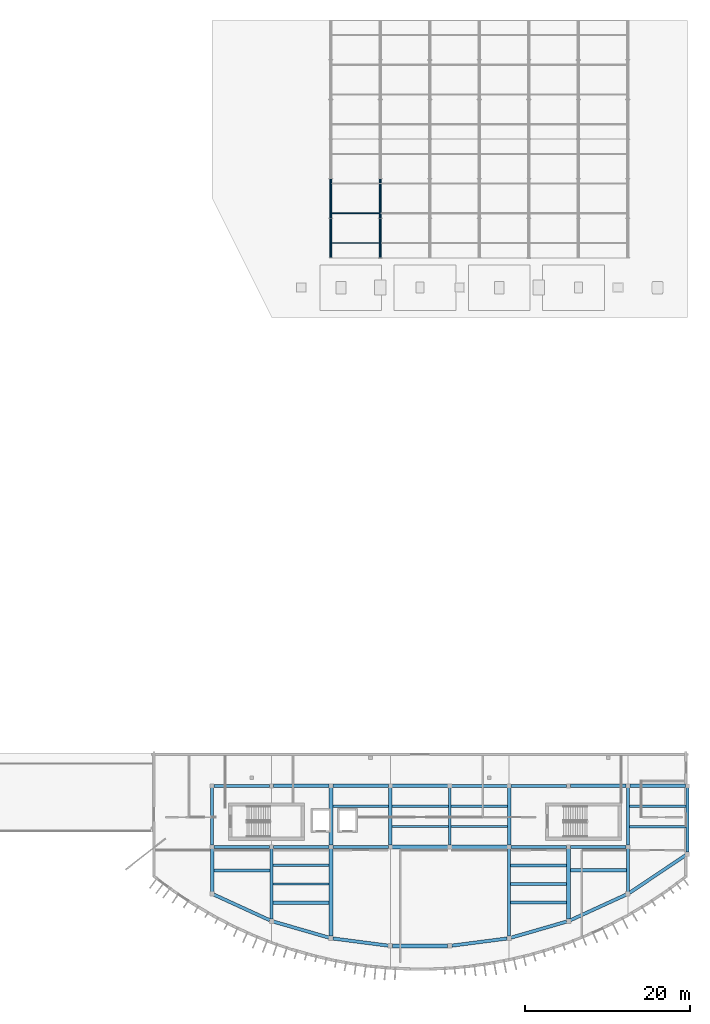
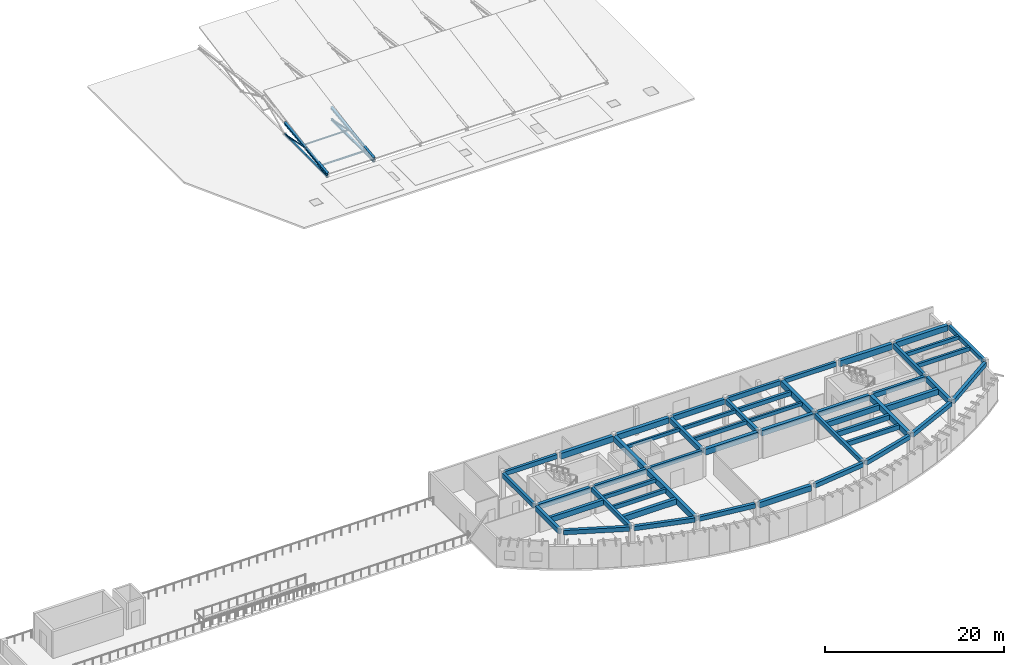
# One storey, part 8 of 32: 51 beams, 14 members.
"""IFC4 building model written with IfcOpenShell, lengths in metres."""

from ifc_helpers import new_model, si_unit, direction, frame, origin, origin_2d, place, context, subcontext, project, spatial, rectangle, hollow_rectangle, hollow_circle, i_section, extrude, material, material_profile, profile_set, type_object, element, save


model = new_model("IFC4")

# Units and contexts
model_context = context("Model", 3, precision=1e-05, world=origin(), true_north=direction((0.0, 1.0)))
body_context = subcontext(model_context, "Body", "Model", "MODEL_VIEW")
ifc_project = project(units=[si_unit("LENGTHUNIT", "METRE"), si_unit("AREAUNIT", "SQUARE_METRE"), si_unit("VOLUMEUNIT", "CUBIC_METRE"), si_unit("PLANEANGLEUNIT", "RADIAN"), si_unit("MASSUNIT", "GRAM", prefix="KILO")], contexts=[model_context])

# Site, building, storey
site_placement = place(None, origin())
site = spatial("IfcSite", under=ifc_project, at=site_placement, CompositionType="ELEMENT")
building_placement = place(site_placement, origin())
building = spatial("IfcBuilding", under=site, at=building_placement, Name="Brisavento Harbour Community Centre", CompositionType="ELEMENT")
storey_placement = place(building_placement, frame((0.0, 0.0, 12.89990234375)))
storey = spatial("IfcBuildingStorey", under=building, at=storey_placement, Name="L03", CompositionType="ELEMENT", Elevation=12.89990234375)

# Beams
ifc_material_1 = material(Name="Concrete C35/45", Category="concrete")
ifc_material_profile_1 = material_profile(ifc_material_1, rectangle(XDim=0.25, YDim=0.449951171875, at=origin_2d()), Name="Concrete C35/45")
ifc_profile_set_1 = profile_set([ifc_material_profile_1], Name="Concrete C35/45")
beam_type_1 = type_object("IfcBeamType", Name="BM-JST-250x450", PredefinedType="JOIST", material=ifc_profile_set_1)
beam_1_placement = place(storey_placement, frame((129.824951171875, 19.933349609375, 3.43505859375), z_axis=(1.0, 0.0, 0.0), x_axis=(0.0, 1.0, 0.0)))
element("IfcBeam", 1, at=beam_1_placement, inside=storey, type_object=beam_type_1, Name="L03 secondary floor joist 0332", PredefinedType="JOIST", context=body_context, shape_type="SweptSolid", body=[
    extrude(rectangle(XDim=0.25, YDim=0.449951171875, at=origin_2d()), origin(), (0.0, 0.0, 1.0), 6.775146484375),
])
ifc_material_profile_2 = material_profile(ifc_material_1, rectangle(XDim=0.260009765625, YDim=0.4599609375, at=origin_2d()), Name="Concrete C35/45")
ifc_profile_set_2 = profile_set([ifc_material_profile_2], Name="Concrete C35/45")
beam_type_2 = type_object("IfcBeamType", Name="BM-JST-260x460", PredefinedType="JOIST", material=ifc_profile_set_2)
beam_2_placement = place(storey_placement, frame((144.175048828125, 17.466796875, 3.43017578125), z_axis=(1.0, 0.0, 0.0), x_axis=(0.0, 1.0, 0.0)))
element("IfcBeam", 2, at=beam_2_placement, inside=storey, type_object=beam_type_2, Name="L03 secondary floor joist 0335", PredefinedType="JOIST", context=body_context, shape_type="SweptSolid", body=[
    extrude(rectangle(XDim=0.260009765625, YDim=0.4599609375, at=origin_2d()), origin(), (0.0, 0.0, 1.0), 6.800048828125),
])
ifc_material_profile_3 = material_profile(ifc_material_1, rectangle(XDim=0.280029296875, YDim=0.47998046875, at=origin_2d()), Name="Concrete C35/45")
ifc_profile_set_3 = profile_set([ifc_material_profile_3], Name="Concrete C35/45")
beam_type_3 = type_object("IfcBeamType", Name="BM-JST-280x480", PredefinedType="JOIST", material=ifc_profile_set_3)
beam_3_placement = place(storey_placement, frame((137.0, 19.933349609375, 3.420166015625), z_axis=(1.0, 0.0, 0.0), x_axis=(0.0, 1.0, 0.0)))
element("IfcBeam", 3, at=beam_3_placement, inside=storey, type_object=beam_type_3, Name="L03 secondary floor joist 0334", PredefinedType="JOIST", context=body_context, shape_type="SweptSolid", body=[
    extrude(rectangle(XDim=0.280029296875, YDim=0.47998046875, at=origin_2d()), origin(), (0.0, 0.0, 1.0), 6.824951171875),
])
ifc_material_profile_4 = material_profile(ifc_material_1, rectangle(XDim=0.280029296875, YDim=0.52001953125, at=origin_2d()), Name="Concrete C35/45")
ifc_profile_set_4 = profile_set([ifc_material_profile_4], Name="Concrete C35/45")
beam_type_4 = type_object("IfcBeamType", Name="BM-JST-280x520", PredefinedType="JOIST", material=ifc_profile_set_4)
beam_4_placement = place(storey_placement, frame((137.0, 17.466796875, 3.400146484375), z_axis=(1.0, 0.0, 0.0), x_axis=(0.0, 1.0, 0.0)))
element("IfcBeam", 4, at=beam_4_placement, inside=storey, type_object=beam_type_4, Name="L03 secondary floor joist 0333", PredefinedType="JOIST", context=body_context, shape_type="SweptSolid", body=[
    extrude(rectangle(XDim=0.280029296875, YDim=0.52001953125, at=origin_2d()), origin(), (0.0, 0.0, 1.0), 6.824951171875),
])
ifc_material_profile_5 = material_profile(ifc_material_1, rectangle(XDim=0.300048828125, YDim=0.5, at=origin_2d()), Name="Concrete C35/45")
ifc_profile_set_5 = profile_set([ifc_material_profile_5], Name="Concrete C35/45")
beam_type_5 = type_object("IfcBeamType", Name="BM-JST-300x500", PredefinedType="JOIST", material=ifc_profile_set_5)
beam_5_placement = place(storey_placement, frame((122.574951171875, 12.75390625, 3.41015625), z_axis=(1.0, 0.0, 0.0), x_axis=(0.0, 1.0, 0.0)))
element("IfcBeam", 5, at=beam_5_placement, inside=storey, type_object=beam_type_5, Name="L03 secondary floor joist 0331", PredefinedType="JOIST", context=body_context, shape_type="SweptSolid", body=[
    extrude(rectangle(XDim=0.300048828125, YDim=0.5, at=origin_2d()), origin(), (0.0, 0.0, 1.0), 6.800048828125),
])
beam_6_placement = place(storey_placement, frame((165.77490234375, 19.933349609375, 3.41015625), z_axis=(1.0, 0.0, 0.0), x_axis=(0.0, 1.0, 0.0)))
element("IfcBeam", 6, at=beam_6_placement, inside=storey, type_object=beam_type_5, Name="L03 secondary floor joist 0342", PredefinedType="JOIST", context=body_context, shape_type="SweptSolid", body=[
    extrude(rectangle(XDim=0.300048828125, YDim=0.5, at=origin_2d()), origin(), (0.0, 0.0, 1.0), 6.85009765625),
])
ifc_material_profile_6 = material_profile(ifc_material_1, rectangle(XDim=0.300048828125, YDim=0.550048828125, at=origin_2d()), Name="Concrete C35/45")
ifc_profile_set_6 = profile_set([ifc_material_profile_6], Name="Concrete C35/45")
beam_type_6 = type_object("IfcBeamType", Name="BM-JST-300x550", PredefinedType="JOIST", material=ifc_profile_set_6)
beam_7_placement = place(storey_placement, frame((122.574951171875, 10.507568359375, 3.385009765625), z_axis=(1.0, 0.0, 0.0), x_axis=(0.0, 1.0, 0.0)))
element("IfcBeam", 7, at=beam_7_placement, inside=storey, type_object=beam_type_6, Name="L03 secondary floor joist 0330", PredefinedType="JOIST", context=body_context, shape_type="SweptSolid", body=[
    extrude(rectangle(XDim=0.300048828125, YDim=0.550048828125, at=origin_2d()), origin(), (0.0, 0.0, 1.0), 6.800048828125),
])
beam_8_placement = place(storey_placement, frame((165.77490234375, 17.466796875, 3.385009765625), z_axis=(1.0, 0.0, 0.0), x_axis=(0.0, 1.0, 0.0)))
element("IfcBeam", 8, at=beam_8_placement, inside=storey, type_object=beam_type_6, Name="L03 secondary floor joist 0341", PredefinedType="JOIST", context=body_context, shape_type="SweptSolid", body=[
    extrude(rectangle(XDim=0.300048828125, YDim=0.550048828125, at=origin_2d()), origin(), (0.0, 0.0, 1.0), 6.85009765625),
])
ifc_material_profile_7 = material_profile(ifc_material_1, rectangle(XDim=0.320068359375, YDim=0.56005859375, at=origin_2d()), Name="Concrete C35/45")
ifc_profile_set_7 = profile_set([ifc_material_profile_7], Name="Concrete C35/45")
beam_type_7 = type_object("IfcBeamType", Name="BM-JST-320x560", PredefinedType="JOIST", material=ifc_profile_set_7)
beam_9_placement = place(storey_placement, frame((144.175048828125, 19.933349609375, 3.380126953125), z_axis=(1.0, 0.0, 0.0), x_axis=(0.0, 1.0, 0.0)))
element("IfcBeam", 9, at=beam_9_placement, inside=storey, type_object=beam_type_7, Name="L03 secondary floor joist 0336", PredefinedType="JOIST", context=body_context, shape_type="SweptSolid", body=[
    extrude(rectangle(XDim=0.320068359375, YDim=0.56005859375, at=origin_2d()), origin(), (0.0, 0.0, 1.0), 6.800048828125),
])
ifc_material_profile_8 = material_profile(ifc_material_1, rectangle(XDim=0.320068359375, YDim=0.6201171875, at=origin_2d()), Name="Concrete C35/45")
ifc_profile_set_8 = profile_set([ifc_material_profile_8], Name="Concrete C35/45")
beam_type_8 = type_object("IfcBeamType", Name="BM-JST-320x620", PredefinedType="JOIST", material=ifc_profile_set_8)
beam_10_placement = place(storey_placement, frame((151.375, 8.26123046875, 3.35009765625), z_axis=(1.0, 0.0, 0.0), x_axis=(0.0, 1.0, 0.0)))
element("IfcBeam", 10, at=beam_10_placement, inside=storey, type_object=beam_type_8, Name="L03 secondary floor joist 0337", PredefinedType="JOIST", context=body_context, shape_type="SweptSolid", body=[
    extrude(rectangle(XDim=0.320068359375, YDim=0.6201171875, at=origin_2d()), origin(), (0.0, 0.0, 1.0), 6.800048828125),
])
ifc_material_profile_9 = material_profile(ifc_material_1, rectangle(XDim=0.360107421875, YDim=0.679931640625, at=origin_2d()), Name="Concrete C35/45")
ifc_profile_set_9 = profile_set([ifc_material_profile_9], Name="Concrete C35/45")
beam_type_9 = type_object("IfcBeamType", Name="BM-JST-360x680", PredefinedType="JOIST", material=ifc_profile_set_9)
beam_11_placement = place(storey_placement, frame((151.375, 10.507568359375, 3.320068359375), z_axis=(1.0, 0.0, 0.0), x_axis=(0.0, 1.0, 0.0)))
element("IfcBeam", 11, at=beam_11_placement, inside=storey, type_object=beam_type_9, Name="L03 secondary floor joist 0338", PredefinedType="JOIST", context=body_context, shape_type="SweptSolid", body=[
    extrude(rectangle(XDim=0.360107421875, YDim=0.679931640625, at=origin_2d()), origin(), (0.0, 0.0, 1.0), 6.800048828125),
])
ifc_material_profile_10 = material_profile(ifc_material_1, rectangle(XDim=0.3798828125, YDim=0.719970703125, at=origin_2d()), Name="Concrete C35/45")
ifc_profile_set_10 = profile_set([ifc_material_profile_10], Name="Concrete C35/45")
beam_type_10 = type_object("IfcBeamType", Name="BM-JST-380x720", PredefinedType="JOIST", material=ifc_profile_set_10)
beam_12_placement = place(storey_placement, frame((115.39990234375, 12.156982421875, 3.300048828125), z_axis=(1.0, 0.0, 0.0), x_axis=(0.0, 1.0, 0.0)))
element("IfcBeam", 12, at=beam_12_placement, inside=storey, type_object=beam_type_10, Name="L03 secondary floor joist 0328", PredefinedType="JOIST", context=body_context, shape_type="SweptSolid", body=[
    extrude(rectangle(XDim=0.3798828125, YDim=0.719970703125, at=origin_2d()), origin(), (0.0, 0.0, 1.0), 6.8251953125),
])
beam_13_placement = place(storey_placement, frame((151.375, 12.75390625, 3.300048828125), z_axis=(1.0, 0.0, 0.0), x_axis=(0.0, 1.0, 0.0)))
element("IfcBeam", 13, at=beam_13_placement, inside=storey, type_object=beam_type_10, Name="L03 secondary floor joist 0339", PredefinedType="JOIST", context=body_context, shape_type="SweptSolid", body=[
    extrude(rectangle(XDim=0.3798828125, YDim=0.719970703125, at=origin_2d()), origin(), (0.0, 0.0, 1.0), 6.800048828125),
])
ifc_material_profile_11 = material_profile(ifc_material_1, rectangle(XDim=0.419921875, YDim=0.760009765625, at=origin_2d()), Name="Concrete C35/45")
ifc_profile_set_11 = profile_set([ifc_material_profile_11], Name="Concrete C35/45")
beam_type_11 = type_object("IfcBeamType", Name="BM-JST-420x760", PredefinedType="JOIST", material=ifc_profile_set_11)
beam_14_placement = place(storey_placement, frame((122.574951171875, 8.26123046875, 3.280029296875), z_axis=(1.0, 0.0, 0.0), x_axis=(0.0, 1.0, 0.0)))
element("IfcBeam", 14, at=beam_14_placement, inside=storey, type_object=beam_type_11, Name="L03 secondary floor joist 0329", PredefinedType="JOIST", context=body_context, shape_type="SweptSolid", body=[
    extrude(rectangle(XDim=0.419921875, YDim=0.760009765625, at=origin_2d()), origin(), (0.0, 0.0, 1.0), 6.800048828125),
])
beam_15_placement = place(storey_placement, frame((158.625, 12.156982421875, 3.280029296875), z_axis=(1.0, 0.0, 0.0), x_axis=(0.0, 1.0, 0.0)))
element("IfcBeam", 15, at=beam_15_placement, inside=storey, type_object=beam_type_11, Name="L03 secondary floor joist 0340", PredefinedType="JOIST", context=body_context, shape_type="SweptSolid", body=[
    extrude(rectangle(XDim=0.419921875, YDim=0.760009765625, at=origin_2d()), origin(), (0.0, 0.0, 1.0), 6.77490234375),
])
ifc_material_profile_12 = material_profile(ifc_material_1, rectangle(XDim=0.35009765625, YDim=0.60009765625, at=origin_2d()), Name="Concrete C35/45")
ifc_profile_set_12 = profile_set([ifc_material_profile_12], Name="Concrete C35/45")
beam_type_12 = type_object("IfcBeamType", Name="BM-RC-350x600", PredefinedType="BEAM", material=ifc_profile_set_12)
for number, where, z_axis, x_axis, name in (
    (16, (129.820068359375, 15.0, 3.360107421875), (1.0, 0.0, 0.0), (0.0, 1.0, 0.0), "L03 primary girder X0649"),
    (17, (115.419921875, 22.39990234375, 3.360107421875), (1.0, 0.0, 0.0), (0.0, 1.0, 0.0), "L03 primary girder X0654"),
    (18, (151.419921875, 22.39990234375, 3.360107421875), (1.0, 0.0, 0.0), (0.0, 1.0, 0.0), "L03 primary girder X0659"),
):
    element("IfcBeam", number, at=place(storey_placement, frame(where, z_axis=z_axis, x_axis=x_axis)), inside=storey, type_object=beam_type_12, Name=name, PredefinedType="BEAM", context=body_context, shape_type="SweptSolid", body=[
        extrude(rectangle(XDim=0.35009765625, YDim=0.60009765625, at=origin_2d()), origin(), (0.0, 0.0, 1.0), 6.760009765625),
    ])
beam_16_placement = place(storey_placement, frame((122.39990234375, 6.260009765625, 3.360107421875), z_axis=(0.0, 1.0, 0.0), x_axis=(-1.0, 0.0, 0.0)))
element("IfcBeam", 19, at=beam_16_placement, inside=storey, type_object=beam_type_12, Name="L03 primary girder Y0664", PredefinedType="BEAM", context=body_context, shape_type="SweptSolid", body=[
    extrude(rectangle(XDim=0.35009765625, YDim=0.60009765625, at=origin_2d()), origin(), (0.0, 0.0, 1.0), 8.52001953125),
])
beam_17_placement = place(storey_placement, frame((151.199951171875, 4.178955078125, 3.360107421875), z_axis=(0.0, 1.0, 0.0), x_axis=(-1.0, 0.0, 0.0)))
element("IfcBeam", 20, at=beam_17_placement, inside=storey, type_object=beam_type_12, Name="L03 primary girder Y0669", PredefinedType="BEAM", context=body_context, shape_type="SweptSolid", body=[
    extrude(rectangle(XDim=0.35009765625, YDim=0.60009765625, at=origin_2d()), origin(), (0.0, 0.0, 1.0), 10.60107421875),
])
beam_18_placement = place(storey_placement, frame((172.800048828125, 14.373046875, 3.360107421875), z_axis=(0.0, 1.0, 0.0), x_axis=(-1.0, 0.0, 0.0)))
element("IfcBeam", 21, at=beam_18_placement, inside=storey, type_object=beam_type_12, Name="L03 primary girder Y0674", PredefinedType="BEAM", context=body_context, shape_type="SweptSolid", body=[
    extrude(rectangle(XDim=0.35009765625, YDim=0.60009765625, at=origin_2d()), origin(), (0.0, 0.0, 1.0), 7.806884765625),
])
ifc_material_profile_13 = material_profile(ifc_material_1, rectangle(XDim=0.35009765625, YDim=0.64990234375, at=origin_2d()), Name="Concrete C35/45")
ifc_profile_set_13 = profile_set([ifc_material_profile_13], Name="Concrete C35/45")
beam_type_13 = type_object("IfcBeamType", Name="BM-RC-350x650", PredefinedType="BEAM", material=ifc_profile_set_13)
for number, where, z_axis, x_axis, name in (
    (22, (122.6201171875, 15.0, 3.335205078125), (1.0, 0.0, 0.0), (0.0, 1.0, 0.0), "L03 primary girder X0648"),
    (23, (158.6201171875, 15.0, 3.335205078125), (1.0, 0.0, 0.0), (0.0, 1.0, 0.0), "L03 primary girder X0653"),
):
    element("IfcBeam", number, at=place(storey_placement, frame(where, z_axis=z_axis, x_axis=x_axis)), inside=storey, type_object=beam_type_13, Name=name, PredefinedType="BEAM", context=body_context, shape_type="SweptSolid", body=[
        extrude(rectangle(XDim=0.35009765625, YDim=0.64990234375, at=origin_2d()), origin(), (0.0, 0.0, 1.0), 6.759765625),
    ])
beam_19_placement = place(storey_placement, frame((144.219970703125, 22.39990234375, 3.335205078125), z_axis=(1.0, 0.0, 0.0), x_axis=(0.0, 1.0, 0.0)))
element("IfcBeam", 24, at=beam_19_placement, inside=storey, type_object=beam_type_13, Name="L03 primary girder X0658", PredefinedType="BEAM", context=body_context, shape_type="SweptSolid", body=[
    extrude(rectangle(XDim=0.35009765625, YDim=0.64990234375, at=origin_2d()), origin(), (0.0, 0.0, 1.0), 6.760009765625),
])
for number, where, z_axis, x_axis, name in (
    (25, (115.199951171875, 15.219970703125, 3.335205078125), (0.0, 1.0, 0.0), (-1.0, 0.0, 0.0), "L03 primary girder Y0663"),
    (26, (144.0, 15.219970703125, 3.335205078125), (0.0, 1.0, 0.0), (-1.0, 0.0, 0.0), "L03 primary girder Y0668"),
    (27, (165.60009765625, 15.219970703125, 3.335205078125), (0.0, 1.0, 0.0), (-1.0, 0.0, 0.0), "L03 primary girder Y0673"),
):
    element("IfcBeam", number, at=place(storey_placement, frame(where, z_axis=z_axis, x_axis=x_axis)), inside=storey, type_object=beam_type_13, Name=name, PredefinedType="BEAM", context=body_context, shape_type="SweptSolid", body=[
        extrude(rectangle(XDim=0.35009765625, YDim=0.64990234375, at=origin_2d()), origin(), (0.0, 0.0, 1.0), 6.9599609375),
    ])
ifc_material_profile_14 = material_profile(ifc_material_1, rectangle(XDim=0.39990234375, YDim=0.699951171875, at=origin_2d()), Name="Concrete C35/45")
ifc_profile_set_14 = profile_set([ifc_material_profile_14], Name="Concrete C35/45")
beam_type_14 = type_object("IfcBeamType", Name="BM-RC-400x700", PredefinedType="BEAM", material=ifc_profile_set_14)
for number, where, z_axis, x_axis, name in (
    (28, (115.419921875, 15.0, 3.31005859375), (1.0, 0.0, 0.0), (0.0, 1.0, 0.0), "L03 primary girder X0647"),
    (29, (151.419921875, 15.0, 3.31005859375), (1.0, 0.0, 0.0), (0.0, 1.0, 0.0), "L03 primary girder X0652"),
    (30, (137.02001953125, 22.39990234375, 3.31005859375), (1.0, 0.0, 0.0), (0.0, 1.0, 0.0), "L03 primary girder X0657"),
):
    element("IfcBeam", number, at=place(storey_placement, frame(where, z_axis=z_axis, x_axis=x_axis)), inside=storey, type_object=beam_type_14, Name=name, PredefinedType="BEAM", context=body_context, shape_type="SweptSolid", body=[
        extrude(rectangle(XDim=0.39990234375, YDim=0.699951171875, at=origin_2d()), origin(), (0.0, 0.0, 1.0), 6.760009765625),
    ])
beam_20_placement = place(storey_placement, frame((115.199951171875, 9.55908203125, 3.31005859375), z_axis=(0.0, 1.0, 0.0), x_axis=(-1.0, 0.0, 0.0)))
element("IfcBeam", 31, at=beam_20_placement, inside=storey, type_object=beam_type_14, Name="L03 primary girder Y0662", PredefinedType="BEAM", context=body_context, shape_type="SweptSolid", body=[
    extrude(rectangle(XDim=0.39990234375, YDim=0.699951171875, at=origin_2d()), origin(), (0.0, 0.0, 1.0), 5.220947265625),
])
beam_21_placement = place(storey_placement, frame((136.800048828125, 15.219970703125, 3.31005859375), z_axis=(0.0, 1.0, 0.0), x_axis=(-1.0, 0.0, 0.0)))
element("IfcBeam", 32, at=beam_21_placement, inside=storey, type_object=beam_type_14, Name="L03 primary girder Y0667", PredefinedType="BEAM", context=body_context, shape_type="SweptSolid", body=[
    extrude(rectangle(XDim=0.39990234375, YDim=0.699951171875, at=origin_2d()), origin(), (0.0, 0.0, 1.0), 6.9599609375),
])
beam_22_placement = place(storey_placement, frame((165.60009765625, 9.55908203125, 3.31005859375), z_axis=(0.0, 1.0, 0.0), x_axis=(-1.0, 0.0, 0.0)))
element("IfcBeam", 33, at=beam_22_placement, inside=storey, type_object=beam_type_14, Name="L03 primary girder Y0672", PredefinedType="BEAM", context=body_context, shape_type="SweptSolid", body=[
    extrude(rectangle(XDim=0.39990234375, YDim=0.699951171875, at=origin_2d()), origin(), (0.0, 0.0, 1.0), 5.220947265625),
])
ifc_material_profile_15 = material_profile(ifc_material_1, rectangle(XDim=0.449951171875, YDim=0.75, at=origin_2d()), Name="Concrete C35/45")
ifc_profile_set_15 = profile_set([ifc_material_profile_15], Name="Concrete C35/45")
beam_type_15 = type_object("IfcBeamType", Name="BM-RC-450x750", PredefinedType="BEAM", material=ifc_profile_set_15)
beam_23_placement = place(storey_placement, frame((137.044921875, 3.0, 3.28515625), z_axis=(1.0, 0.0, 0.0), x_axis=(0.0, 1.0, 0.0)))
element("IfcBeam", 34, at=beam_23_placement, inside=storey, type_object=beam_type_15, Name="L03 primary girder X0646", PredefinedType="BEAM", context=body_context, shape_type="SweptSolid", body=[
    extrude(rectangle(XDim=0.449951171875, YDim=0.75, at=origin_2d()), origin(), (0.0, 0.0, 1.0), 6.7099609375),
])
for number, where, z_axis, x_axis, name in (
    (35, (144.219970703125, 15.0, 3.28515625), (1.0, 0.0, 0.0), (0.0, 1.0, 0.0), "L03 primary girder X0651"),
    (36, (129.820068359375, 22.39990234375, 3.28515625), (1.0, 0.0, 0.0), (0.0, 1.0, 0.0), "L03 primary girder X0656"),
    (37, (165.820068359375, 22.39990234375, 3.28515625), (1.0, 0.0, 0.0), (0.0, 1.0, 0.0), "L03 primary girder X0661"),
):
    element("IfcBeam", number, at=place(storey_placement, frame(where, z_axis=z_axis, x_axis=x_axis)), inside=storey, type_object=beam_type_15, Name=name, PredefinedType="BEAM", context=body_context, shape_type="SweptSolid", body=[
        extrude(rectangle(XDim=0.449951171875, YDim=0.75, at=origin_2d()), origin(), (0.0, 0.0, 1.0), 6.760009765625),
    ])
beam_24_placement = place(storey_placement, frame((129.60009765625, 15.219970703125, 3.28515625), z_axis=(0.0, 1.0, 0.0), x_axis=(-1.0, 0.0, 0.0)))
element("IfcBeam", 38, at=beam_24_placement, inside=storey, type_object=beam_type_15, Name="L03 primary girder Y0666", PredefinedType="BEAM", context=body_context, shape_type="SweptSolid", body=[
    extrude(rectangle(XDim=0.449951171875, YDim=0.75, at=origin_2d()), origin(), (0.0, 0.0, 1.0), 6.9599609375),
])
beam_25_placement = place(storey_placement, frame((158.39990234375, 6.260009765625, 3.28515625), z_axis=(0.0, 1.0, 0.0), x_axis=(-1.0, 0.0, 0.0)))
element("IfcBeam", 39, at=beam_25_placement, inside=storey, type_object=beam_type_15, Name="L03 primary girder Y0671", PredefinedType="BEAM", context=body_context, shape_type="SweptSolid", body=[
    extrude(rectangle(XDim=0.449951171875, YDim=0.75, at=origin_2d()), origin(), (0.0, 0.0, 1.0), 8.52001953125),
])
ifc_material_profile_16 = material_profile(ifc_material_1, rectangle(XDim=0.449951171875, YDim=0.800048828125, at=origin_2d()), Name="Concrete C35/45")
ifc_profile_set_16 = profile_set([ifc_material_profile_16], Name="Concrete C35/45")
beam_type_16 = type_object("IfcBeamType", Name="BM-RC-450x800", PredefinedType="BEAM", material=ifc_profile_set_16)
beam_26_placement = place(storey_placement, frame((137.02001953125, 15.0, 3.260009765625), z_axis=(1.0, 0.0, 0.0), x_axis=(0.0, 1.0, 0.0)))
element("IfcBeam", 40, at=beam_26_placement, inside=storey, type_object=beam_type_16, Name="L03 primary girder X0650", PredefinedType="BEAM", context=body_context, shape_type="SweptSolid", body=[
    extrude(rectangle(XDim=0.449951171875, YDim=0.800048828125, at=origin_2d()), origin(), (0.0, 0.0, 1.0), 6.760009765625),
])
for number, where, z_axis, x_axis, name in (
    (41, (122.6201171875, 22.39990234375, 3.260009765625), (1.0, 0.0, 0.0), (0.0, 1.0, 0.0), "L03 primary girder X0655"),
    (42, (158.6201171875, 22.39990234375, 3.260009765625), (1.0, 0.0, 0.0), (0.0, 1.0, 0.0), "L03 primary girder X0660"),
):
    element("IfcBeam", number, at=place(storey_placement, frame(where, z_axis=z_axis, x_axis=x_axis)), inside=storey, type_object=beam_type_16, Name=name, PredefinedType="BEAM", context=body_context, shape_type="SweptSolid", body=[
        extrude(rectangle(XDim=0.449951171875, YDim=0.800048828125, at=origin_2d()), origin(), (0.0, 0.0, 1.0), 6.759765625),
    ])
beam_27_placement = place(storey_placement, frame((129.60009765625, 4.178955078125, 3.260009765625), z_axis=(0.0, 1.0, 0.0), x_axis=(-1.0, 0.0, 0.0)))
element("IfcBeam", 43, at=beam_27_placement, inside=storey, type_object=beam_type_16, Name="L03 primary girder Y0665", PredefinedType="BEAM", context=body_context, shape_type="SweptSolid", body=[
    extrude(rectangle(XDim=0.449951171875, YDim=0.800048828125, at=origin_2d()), origin(), (0.0, 0.0, 1.0), 10.60107421875),
])
beam_28_placement = place(storey_placement, frame((151.199951171875, 15.219970703125, 3.260009765625), z_axis=(0.0, 1.0, 0.0), x_axis=(-1.0, 0.0, 0.0)))
element("IfcBeam", 44, at=beam_28_placement, inside=storey, type_object=beam_type_16, Name="L03 primary girder Y0670", PredefinedType="BEAM", context=body_context, shape_type="SweptSolid", body=[
    extrude(rectangle(XDim=0.449951171875, YDim=0.800048828125, at=origin_2d()), origin(), (0.0, 0.0, 1.0), 6.9599609375),
])
ifc_material_profile_17 = material_profile(ifc_material_1, rectangle(XDim=0.39990234375, YDim=0.60009765625, at=origin_2d()), Name="Concrete C35/45")
ifc_profile_set_17 = profile_set([ifc_material_profile_17], Name="Concrete C35/45")
beam_type_17 = type_object("IfcBeamType", Name="BM-SPN-400x600", PredefinedType="SPANDREL", material=ifc_profile_set_17)
beam_29_placement = place(storey_placement, frame((115.422607421875, 9.2119140625, 3.360107421875), z_axis=(0.909123414107, -0.416526851383, 0.0), x_axis=(0.416526851383, 0.909123414107, 0.0)))
element("IfcBeam", 45, at=beam_29_placement, inside=storey, type_object=beam_type_17, Name="L03 curved perimeter spandrel 0681", PredefinedType="SPANDREL", context=body_context, shape_type="SweptSolid", body=[
    extrude(rectangle(XDim=0.39990234375, YDim=0.60009765625, at=origin_2d()), origin(), (0.0, 0.0, 1.0), 7.429931640625),
])
beam_30_placement = place(storey_placement, frame((122.635498046875, 5.947021484375, 3.360107421875), z_axis=(0.960671007691, -0.277689061689, 0.0), x_axis=(0.277689061689, 0.960671007691, 0.0)))
element("IfcBeam", 46, at=beam_30_placement, inside=storey, type_object=beam_type_17, Name="L03 curved perimeter spandrel 0682", PredefinedType="SPANDREL", context=body_context, shape_type="SweptSolid", body=[
    extrude(rectangle(XDim=0.39990234375, YDim=0.60009765625, at=origin_2d()), origin(), (0.0, 0.0, 1.0), 7.00439453125),
])
beam_31_placement = place(storey_placement, frame((129.843017578125, 3.902587890625, 3.360107421875), z_axis=(0.991687856755, -0.128666991742, 0.0), x_axis=(0.128666991742, 0.991687856755, 0.0)))
element("IfcBeam", 47, at=beam_31_placement, inside=storey, type_object=beam_type_17, Name="L03 curved perimeter spandrel 0683", PredefinedType="SPANDREL", context=body_context, shape_type="SweptSolid", body=[
    extrude(rectangle(XDim=0.39990234375, YDim=0.60009765625, at=origin_2d()), origin(), (0.0, 0.0, 1.0), 6.77001953125),
])
beam_32_placement = place(storey_placement, frame((144.242919921875, 3.031494140625, 3.360107421875), z_axis=(0.991688453726, 0.128662390564, 0.0), x_axis=(-0.128662390564, 0.991688453726, 0.0)))
element("IfcBeam", 48, at=beam_32_placement, inside=storey, type_object=beam_type_17, Name="L03 curved perimeter spandrel 0684", PredefinedType="SPANDREL", context=body_context, shape_type="SweptSolid", body=[
    extrude(rectangle(XDim=0.39990234375, YDim=0.60009765625, at=origin_2d()), origin(), (0.0, 0.0, 1.0), 6.770263671875),
])
beam_33_placement = place(storey_placement, frame((151.435302734375, 4.001953125, 3.360107421875), z_axis=(0.960673695261, 0.277679763819, 0.0), x_axis=(-0.277679763819, 0.960673695261, 0.0)))
element("IfcBeam", 49, at=beam_33_placement, inside=storey, type_object=beam_type_17, Name="L03 curved perimeter spandrel 0685", PredefinedType="SPANDREL", context=body_context, shape_type="SweptSolid", body=[
    extrude(rectangle(XDim=0.39990234375, YDim=0.60009765625, at=origin_2d()), origin(), (0.0, 0.0, 1.0), 7.004638671875),
])
beam_34_placement = place(storey_placement, frame((158.622802734375, 6.1171875, 3.360107421875), z_axis=(0.909117712907, 0.416539294759, 0.0), x_axis=(-0.416539294759, 0.909117712907, 0.0)))
element("IfcBeam", 50, at=beam_34_placement, inside=storey, type_object=beam_type_17, Name="L03 curved perimeter spandrel 0686", PredefinedType="SPANDREL", context=body_context, shape_type="SweptSolid", body=[
    extrude(rectangle(XDim=0.39990234375, YDim=0.60009765625, at=origin_2d()), origin(), (0.0, 0.0, 1.0), 7.4296875),
])
beam_35_placement = place(storey_placement, frame((165.8037109375, 9.4501953125, 3.360107421875), z_axis=(0.831304857774, 0.555816726486, 0.0), x_axis=(-0.555816726486, 0.831304857774, 0.0)))
element("IfcBeam", 51, at=beam_35_placement, inside=storey, type_object=beam_type_17, Name="L03 curved perimeter spandrel 0687", PredefinedType="SPANDREL", context=body_context, shape_type="SweptSolid", body=[
    extrude(rectangle(XDim=0.39990234375, YDim=0.60009765625, at=origin_2d()), origin(), (0.0, 0.0, 1.0), 8.1708984375),
])

# Members
ifc_material_2 = material(Name="Steel S355", Category="steel")
ifc_material_profile_18 = material_profile(ifc_material_2, hollow_circle(Radius=0.096923828125, WallThickness=0.010009765625, at=origin_2d()), Name="Steel S355")
ifc_profile_set_18 = profile_set([ifc_material_profile_18], Name="Steel S355")
member_type_1 = type_object("IfcMemberType", Name="MEM-BRC-CHS193", PredefinedType="BRACE", material=ifc_profile_set_18)
member_1_placement = place(storey_placement, frame((129.60009765625, 86.39990234375, 0.0), z_axis=(0.0, 0.978980833987, 0.203952265704), x_axis=(-1.0, 0.0, 0.0)))
element("IfcMember", 52, at=member_1_placement, inside=storey, type_object=member_type_1, Name="Sports Hall truss 1 diagonal 1", PredefinedType="BRACE", context=body_context, shape_type="SweptSolid", body=[
    extrude(hollow_circle(Radius=0.096923828125, WallThickness=0.010009765625, at=origin_2d()), origin(), (0.0, 0.0, 1.0), 4.903076171875),
])
ifc_material_profile_19 = material_profile(ifc_material_2, hollow_rectangle(XDim=0.10009765625, YDim=0.14990234375, WallThickness=0.008056640625, at=origin_2d()), Name="Steel S355")
ifc_profile_set_19 = profile_set([ifc_material_profile_19], Name="Steel S355")
member_type_2 = type_object("IfcMemberType", Name="MEM-BRC-RHS150", PredefinedType="BRACE", material=ifc_profile_set_19)
for number, where, z_axis, x_axis, name in (
    (53, (129.60009765625, 91.199951171875, 1.0), (0.0, 0.978980833987, -0.203952265704), (-1.0, 0.0, 0.0), "Sports Hall truss 1 diagonal 2"),
    (54, (135.60009765625, 86.39990234375, 0.0), (0.0, 0.978980833987, 0.203952265704), (-1.0, 0.0, 0.0), "Sports Hall truss 2 diagonal 1"),
):
    element("IfcMember", number, at=place(storey_placement, frame(where, z_axis=z_axis, x_axis=x_axis)), inside=storey, type_object=member_type_2, Name=name, PredefinedType="BRACE", context=body_context, shape_type="SweptSolid", body=[
        extrude(hollow_rectangle(XDim=0.10009765625, YDim=0.14990234375, WallThickness=0.008056640625, at=origin_2d()), origin(), (0.0, 0.0, 1.0), 4.903076171875),
    ])
ifc_material_profile_20 = material_profile(ifc_material_2, hollow_rectangle(XDim=0.14990234375, YDim=0.14990234375, WallThickness=0.008056640625, at=origin_2d()), Name="Steel S355")
ifc_profile_set_20 = profile_set([ifc_material_profile_20], Name="Steel S355")
member_type_3 = type_object("IfcMemberType", Name="MEM-BRC-SHS150", PredefinedType="BRACE", material=ifc_profile_set_20)
member_2_placement = place(storey_placement, frame((135.60009765625, 91.199951171875, 1.0), z_axis=(0.0, 0.978980833987, -0.203952265704), x_axis=(-1.0, 0.0, 0.0)))
element("IfcMember", 55, at=member_2_placement, inside=storey, type_object=member_type_3, Name="Sports Hall truss 2 diagonal 2", PredefinedType="BRACE", context=body_context, shape_type="SweptSolid", body=[
    extrude(hollow_rectangle(XDim=0.14990234375, YDim=0.14990234375, WallThickness=0.008056640625, at=origin_2d()), origin(), (0.0, 0.0, 1.0), 4.903076171875),
])
ifc_material_profile_21 = material_profile(ifc_material_2, i_section(OverallWidth=0.239990234375, OverallDepth=0.22998046875, WebThickness=0.007568359375, FlangeThickness=0.011962890625, FilletRadius=0.02099609375, at=origin_2d()), Name="Steel S355")
ifc_profile_set_21 = profile_set([ifc_material_profile_21], Name="Steel S355")
member_type_4 = type_object("IfcMemberType", Name="MEM-CHD-HEA240", PredefinedType="CHORD", material=ifc_profile_set_21)
for number, where, z_axis, x_axis, name in (
    (56, (129.60009765625, 86.39990234375, 0.0), (0.0, 1.0, 0.0), (-1.0, 0.0, 0.0), "Sports Hall truss 1 bottom chord 1"),
    (57, (129.60009765625, 91.199951171875, 0.0), (0.0, 1.0, 0.0), (-1.0, 0.0, 0.0), "Sports Hall truss 1 bottom chord 2"),
    (58, (135.60009765625, 86.39990234375, 0.0), (0.0, 1.0, 0.0), (-1.0, 0.0, 0.0), "Sports Hall truss 2 bottom chord 1"),
    (59, (135.60009765625, 91.199951171875, 0.0), (0.0, 1.0, 0.0), (-1.0, 0.0, 0.0), "Sports Hall truss 2 bottom chord 2"),
):
    element("IfcMember", number, at=place(storey_placement, frame(where, z_axis=z_axis, x_axis=x_axis)), inside=storey, type_object=member_type_4, Name=name, PredefinedType="CHORD", context=body_context, shape_type="SweptSolid", body=[
        extrude(i_section(OverallWidth=0.239990234375, OverallDepth=0.22998046875, WebThickness=0.007568359375, FlangeThickness=0.011962890625, FilletRadius=0.02099609375, at=origin_2d()), origin(), (0.0, 0.0, 1.0), 4.800048828125),
    ])
ifc_material_profile_22 = material_profile(ifc_material_2, i_section(OverallWidth=0.300048828125, OverallDepth=0.2900390625, WebThickness=0.008544921875, FlangeThickness=0.013916015625, FilletRadius=0.027099609375, at=origin_2d()), Name="Steel S355")
ifc_profile_set_22 = profile_set([ifc_material_profile_22], Name="Steel S355")
member_type_5 = type_object("IfcMemberType", Name="MEM-CHD-HEA300", PredefinedType="CHORD", material=ifc_profile_set_22)
for number, where, z_axis, x_axis, name in (
    (60, (129.60009765625, 86.39990234375, 0.400146484375), (0.0, 0.9922817585, 0.124003676346), (-1.0, 0.0, 0.0), "Sports Hall truss 1 top chord 1"),
    (61, (129.60009765625, 91.199951171875, 1.0), (0.0, 0.99227554719, 0.12405336936), (-1.0, 0.0, 0.0), "Sports Hall truss 1 top chord 2"),
    (62, (135.60009765625, 86.39990234375, 0.400146484375), (0.0, 0.9922817585, 0.124003676346), (-1.0, 0.0, 0.0), "Sports Hall truss 2 top chord 1"),
    (63, (135.60009765625, 91.199951171875, 1.0), (0.0, 0.99227554719, 0.12405336936), (-1.0, 0.0, 0.0), "Sports Hall truss 2 top chord 2"),
):
    element("IfcMember", number, at=place(storey_placement, frame(where, z_axis=z_axis, x_axis=x_axis)), inside=storey, type_object=member_type_5, Name=name, PredefinedType="CHORD", context=body_context, shape_type="SweptSolid", body=[
        extrude(i_section(OverallWidth=0.300048828125, OverallDepth=0.2900390625, WebThickness=0.008544921875, FlangeThickness=0.013916015625, FilletRadius=0.027099609375, at=origin_2d()), origin(), (0.0, 0.0, 1.0), 4.83740234375),
    ])
ifc_material_profile_23 = material_profile(ifc_material_2, i_section(OverallWidth=0.10009765625, OverallDepth=0.199951171875, WebThickness=0.005615234375, FlangeThickness=0.008544921875, FilletRadius=0.011962890625, at=origin_2d()), Name="Steel S355")
ifc_profile_set_23 = profile_set([ifc_material_profile_23], Name="Steel S355")
member_type_6 = type_object("IfcMemberType", Name="MEM-PUR-IPE200", PredefinedType="PURLIN", material=ifc_profile_set_23)
member_3_placement = place(storey_placement, frame((129.60009765625, 91.800048828125, 1.11376953125), z_axis=(1.0, 0.0, 0.0), x_axis=(0.0, 1.0, 0.0)))
element("IfcMember", 64, at=member_3_placement, inside=storey, type_object=member_type_6, Name="Sports Hall steel roof purlin 1.1.2", PredefinedType="PURLIN", context=body_context, shape_type="SweptSolid", body=[
    extrude(i_section(OverallWidth=0.10009765625, OverallDepth=0.199951171875, WebThickness=0.005615234375, FlangeThickness=0.008544921875, FilletRadius=0.011962890625, at=origin_2d()), origin(), (0.0, 0.0, 1.0), 6.0),
])
ifc_material_profile_24 = material_profile(ifc_material_2, i_section(OverallWidth=0.110107421875, OverallDepth=0.219970703125, WebThickness=0.005859375, FlangeThickness=0.00927734375, FilletRadius=0.011962890625, at=origin_2d()), Name="Steel S355")
ifc_profile_set_24 = profile_set([ifc_material_profile_24], Name="Steel S355")
member_type_7 = type_object("IfcMemberType", Name="MEM-PUR-IPE220", PredefinedType="PURLIN", material=ifc_profile_set_24)
member_4_placement = place(storey_placement, frame((129.60009765625, 88.199951171875, 0.44140625), z_axis=(1.0, 0.0, 0.0), x_axis=(0.0, 1.0, 0.0)))
element("IfcMember", 65, at=member_4_placement, inside=storey, type_object=member_type_7, Name="Sports Hall steel roof purlin 1.1.1", PredefinedType="PURLIN", context=body_context, shape_type="SweptSolid", body=[
    extrude(i_section(OverallWidth=0.110107421875, OverallDepth=0.219970703125, WebThickness=0.005859375, FlangeThickness=0.00927734375, FilletRadius=0.011962890625, at=origin_2d()), origin(), (0.0, 0.0, 1.0), 6.0),
])

save(model, "model.ifc")
